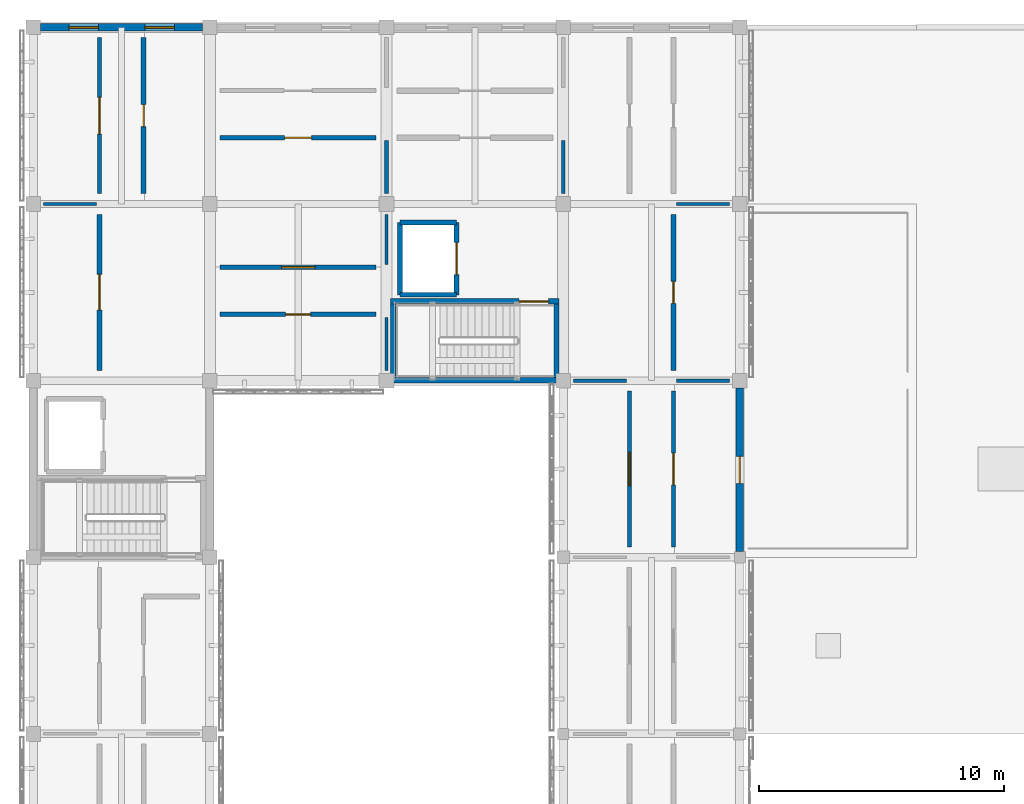
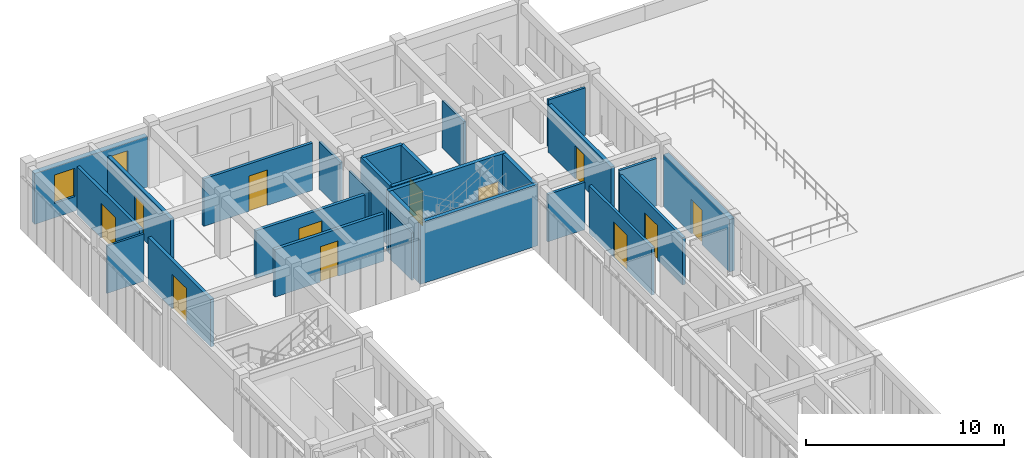
# One storey, part 55 of 67: 27 walls, 12 doors, 2 windows, 14 openings.
"""IFC4 building model written with IfcOpenShell, lengths in metres."""

from ifc_helpers import new_model, si_unit, direction, frame, frame_2d, origin, place, context, subcontext, project, spatial, rectangle, extrude, material, layer, layer_set, type_object, element, fill, save


model = new_model("IFC4")

# Units and contexts
model_context = context("Model", 3, precision=1e-05, world=origin(), true_north=direction((0.0, 1.0)))
body_context = subcontext(model_context, "Body", "Model", "MODEL_VIEW")
ifc_project = project(units=[si_unit("LENGTHUNIT", "METRE"), si_unit("AREAUNIT", "SQUARE_METRE"), si_unit("VOLUMEUNIT", "CUBIC_METRE"), si_unit("PLANEANGLEUNIT", "RADIAN"), si_unit("MASSUNIT", "GRAM", prefix="KILO")], contexts=[model_context])

# Site, building, storey
site_placement = place(None, origin())
site = spatial("IfcSite", under=ifc_project, at=site_placement, CompositionType="ELEMENT")
building_placement = place(site_placement, origin())
building = spatial("IfcBuilding", under=site, at=building_placement, Name="Aldebral Square Health Centre", CompositionType="ELEMENT")
storey_placement = place(building_placement, frame((0.0, 0.0, 13.5)))
storey = spatial("IfcBuildingStorey", under=building, at=storey_placement, Name="L03", CompositionType="ELEMENT", Elevation=13.5)

# Wall, openings, windows
ifc_material_1 = material(Name="Precast concrete C40/50 insulated panel", Category="concrete")
ifc_layer_1 = layer(ifc_material_1, 0.300048828125, Name="Precast concrete C40/50 insulated panel", Category="concrete")
ifc_layer_set_1 = layer_set([ifc_layer_1], Name="Precast concrete C40/50 insulated panel")
wall_type_1 = type_object("IfcWallType", Name="EW-PRE-300", PredefinedType="STANDARD", material=ifc_layer_set_1)
wall_1_placement = place(storey_placement, frame((6.89990234375, 115.199951171875, 0.0), z_axis=(0.0, 0.0, 1.0), x_axis=(-1.0, 0.0, 0.0)))
wall_1 = element("IfcWall", 1, at=wall_1_placement, inside=storey, type_object=wall_type_1, Name="L03 V4 exterior wall L03-V4-00-15-N", PredefinedType="STANDARD", context=body_context, shape_type="SweptSolid", body=[
    extrude(rectangle(XDim=6.599853515625, YDim=0.300048828125, at=frame_2d((3.2998046875, 0.0))), origin(), (0.0, 0.0, 1.0), 3.139892578125),
])
opening_1_placement = place(wall_1_placement, frame((1.14990234375, 0.0, 0.89990234375)))
opening_1 = element("IfcOpeningElement", 2, at=opening_1_placement, cuts=wall_1, Name="Opening W39", PredefinedType="OPENING", context=body_context, shape_type="SweptSolid", body=[
    extrude(rectangle(XDim=1.199951171875, YDim=1.75, at=frame_2d((0.60009765625, 0.875))), frame((0.0, 0.16015625, 0.0), z_axis=(0.0, -1.0, 0.0), x_axis=(1.0, 0.0, 0.0)), (0.0, 0.0, 1.0), 0.320068359375),
])
opening_2_placement = place(wall_1_placement, frame((4.25, 0.0, 0.89990234375)))
opening_2 = element("IfcOpeningElement", 3, at=opening_2_placement, cuts=wall_1, Name="Opening W39", PredefinedType="OPENING", context=body_context, shape_type="SweptSolid", body=[
    extrude(rectangle(XDim=1.199951171875, YDim=1.75, at=frame_2d((0.60009765625, 0.875))), frame((0.0, 0.16015625, 0.0), z_axis=(0.0, -1.0, 0.0), x_axis=(1.0, 0.0, 0.0)), (0.0, 0.0, 1.0), 0.320068359375),
])
ifc_material_2 = material(Name="Thermally broken aluminium and low-E glass", Category="aluminium")
window_type = type_object("IfcWindowType", Name="WIN-W39", PartitioningType="SINGLE_PANEL", PredefinedType="WINDOW", material=ifc_material_2)
window_1_placement = place(opening_1_placement, origin())
window_1 = element("IfcWindow", 4, at=window_1_placement, inside=storey, type_object=window_type, Name="L03 clinical window L03-V4-00-15-N.1", OverallHeight=1.75, OverallWidth=1.199951171875, PartitioningType="SINGLE_PANEL", PredefinedType="WINDOW", context=body_context, shape_type="SweptSolid", body=[
    extrude(rectangle(XDim=1.199951171875, YDim=1.75, at=frame_2d((0.60009765625, 0.875))), frame((0.0, 0.030029296875, 0.0), z_axis=(0.0, -1.0, 0.0), x_axis=(1.0, 0.0, 0.0)), (0.0, 0.0, 1.0), 0.06005859375),
])
fill(opening_1, window_1)
window_2_placement = place(opening_2_placement, origin())
window_2 = element("IfcWindow", 5, at=window_2_placement, inside=storey, type_object=window_type, Name="L03 clinical window L03-V4-00-15-N.2", OverallHeight=1.75, OverallWidth=1.199951171875, PartitioningType="SINGLE_PANEL", PredefinedType="WINDOW", context=body_context, shape_type="SweptSolid", body=[
    extrude(rectangle(XDim=1.199951171875, YDim=1.75, at=frame_2d((0.60009765625, 0.875))), frame((0.0, 0.030029296875, 0.0), z_axis=(0.0, -1.0, 0.0), x_axis=(1.0, 0.0, 0.0)), (0.0, 0.0, 1.0), 0.06005859375),
])
fill(opening_2, window_2)

# Wall, opening, door
wall_2_placement = place(storey_placement, frame((28.800048828125, 93.824951171875, 0.0), z_axis=(0.0, 0.0, 1.0), x_axis=(0.0, 1.0, 0.0)))
wall_2 = element("IfcWall", 6, at=wall_2_placement, inside=storey, type_object=wall_type_1, Name="L03 V4 exterior wall L03-V4-03-13-E", PredefinedType="STANDARD", context=body_context, shape_type="SweptSolid", body=[
    extrude(rectangle(XDim=6.675048828125, YDim=0.300048828125, at=frame_2d((3.33740234375, 0.0))), origin(), (0.0, 0.0, 1.0), 3.239990234375),
])
opening_3_placement = place(wall_2_placement, frame((2.78759765625, 0.0, 0.0)))
opening_3 = element("IfcOpeningElement", 7, at=opening_3_placement, cuts=wall_2, Name="Opening D-TER301", PredefinedType="OPENING", context=body_context, shape_type="SweptSolid", body=[
    extrude(rectangle(XDim=1.10009765625, YDim=2.14990234375, at=frame_2d((0.550048828125, 1.074951171875))), frame((0.0, 0.16015625, 0.0), z_axis=(0.0, -1.0, 0.0), x_axis=(1.0, 0.0, 0.0)), (0.0, 0.0, 1.0), 0.320068359375),
])
ifc_material_3 = material(Name="Anodised aluminium and laminated safety glass", Category="aluminium")
door_type_1 = type_object("IfcDoorType", Name="DR-TER-110", OperationType="NOTDEFINED", PredefinedType="DOOR", material=ifc_material_3)
door_1_placement = place(opening_3_placement, origin())
door_1 = element("IfcDoor", 8, at=door_1_placement, inside=storey, type_object=door_type_1, Name="L03 exterior door D-TER301", OperationType="SINGLE_SWING_LEFT", OverallHeight=2.14990234375, OverallWidth=1.10009765625, PredefinedType="DOOR", context=body_context, shape_type="SweptSolid", body=[
    extrude(rectangle(XDim=1.10009765625, YDim=2.14990234375, at=frame_2d((0.550048828125, 1.074951171875))), frame((0.0, 0.02490234375, 0.0), z_axis=(0.0, -1.0, 0.0), x_axis=(1.0, 0.0, 0.0)), (0.0, 0.0, 1.0), 0.050048828125),
])
fill(opening_3, door_1)

ifc_material_4 = material(Name="Concrete C35/45 compartment wall", Category="concrete")
ifc_layer_2 = layer(ifc_material_4, 0.199951171875, Name="Concrete C35/45 compartment wall", Category="concrete")
ifc_layer_set_2 = layer_set([ifc_layer_2], Name="Concrete C35/45 compartment wall")
wall_type_2 = type_object("IfcWallType", Name="IW-CMP-200", PredefinedType="SOLIDWALL", material=ifc_layer_set_2)
wall_3_placement = place(storey_placement, frame((2.699951171875, 101.219970703125, 0.0), z_axis=(0.0, 0.0, 1.0), x_axis=(0.0, 1.0, 0.0)))
wall_3 = element("IfcWall", 9, at=wall_3_placement, inside=storey, type_object=wall_type_2, Name="L03 Oral Hygiene Suite 1.15W corridor wall", PredefinedType="SOLIDWALL", context=body_context, shape_type="SweptSolid", body=[
    extrude(rectangle(XDim=6.360107421875, YDim=0.199951171875, at=frame_2d((3.18017578125, 0.0))), origin(), (0.0, 0.0, 1.0), 2.929931640625),
])
opening_4_placement = place(wall_3_placement, frame((2.449951171875, 0.0, 0.0)))
opening_4 = element("IfcOpeningElement", 10, at=opening_4_placement, cuts=wall_3, Name="Opening D-0544", PredefinedType="OPENING", context=body_context, shape_type="SweptSolid", body=[
    extrude(rectangle(XDim=1.4599609375, YDim=2.139892578125, at=frame_2d((0.72998046875, 1.06982421875))), frame((0.0, 0.10986328125, 0.0), z_axis=(0.0, -1.0, 0.0), x_axis=(1.0, 0.0, 0.0)), (0.0, 0.0, 1.0), 0.219970703125),
])
ifc_material_5 = material(Name="Clinical suite fire door")
door_type_2 = type_object("IfcDoorType", Name="ID-EXD-46", OperationType="NOTDEFINED", PredefinedType="DOOR", material=ifc_material_5)
door_2_placement = place(opening_4_placement, origin())
door_2 = element("IfcDoor", 11, at=door_2_placement, inside=storey, type_object=door_type_2, Name="L03 Oral Hygiene Suite 1.15W door", OperationType="SINGLE_SWING_LEFT", OverallHeight=2.139892578125, OverallWidth=1.4599609375, PredefinedType="DOOR", context=body_context, shape_type="SweptSolid", body=[
    extrude(rectangle(XDim=1.4599609375, YDim=2.139892578125, at=frame_2d((0.72998046875, 1.06982421875))), frame((0.0, 0.02490234375, 0.0), z_axis=(0.0, -1.0, 0.0), x_axis=(1.0, 0.0, 0.0)), (0.0, 0.0, 1.0), 0.050048828125),
])
fill(opening_4, door_2)

ifc_material_6 = material(Name="Fire-rated acoustic gypsum partition")
ifc_layer_3 = layer(ifc_material_6, 0.1650390625, Name="Fire-rated acoustic gypsum partition")
ifc_layer_set_3 = layer_set([ifc_layer_3], Name="Fire-rated acoustic gypsum partition")
wall_type_3 = type_object("IfcWallType", Name="IW-COR-165", PredefinedType="PARTITIONING", material=ifc_layer_set_3)
wall_4_placement = place(storey_placement, frame((7.6201171875, 110.699951171875, 0.0), z_axis=(0.0, 0.0, 1.0), x_axis=(1.0, 0.0, 0.0)))
wall_4 = element("IfcWall", 12, at=wall_4_placement, inside=storey, type_object=wall_type_3, Name="L03 Oral Hygiene Suite 2.16S corridor wall", PredefinedType="PARTITIONING", context=body_context, shape_type="SweptSolid", body=[
    extrude(rectangle(XDim=6.35986328125, YDim=0.1650390625, at=frame_2d((3.179931640625, 0.0))), origin(), (0.0, 0.0, 1.0), 2.929931640625),
])
opening_5_placement = place(wall_4_placement, frame((2.6298828125, 0.0, 0.0)))
opening_5 = element("IfcOpeningElement", 13, at=opening_5_placement, cuts=wall_4, Name="Opening D-0551", PredefinedType="OPENING", context=body_context, shape_type="SweptSolid", body=[
    extrude(rectangle(XDim=1.10009765625, YDim=2.18994140625, at=frame_2d((0.550048828125, 1.094970703125))), frame((0.0, 0.092529296875, 0.0), z_axis=(0.0, -1.0, 0.0), x_axis=(1.0, 0.0, 0.0)), (0.0, 0.0, 1.0), 0.18505859375),
])
door_type_3 = type_object("IfcDoorType", Name="ID-EXD-53", OperationType="NOTDEFINED", PredefinedType="DOOR", material=ifc_material_5)
door_3_placement = place(opening_5_placement, origin())
door_3 = element("IfcDoor", 14, at=door_3_placement, inside=storey, type_object=door_type_3, Name="L03 Oral Hygiene Suite 2.16S door", OperationType="SINGLE_SWING_RIGHT", OverallHeight=2.18994140625, OverallWidth=1.10009765625, PredefinedType="DOOR", context=body_context, shape_type="SweptSolid", body=[
    extrude(rectangle(XDim=1.10009765625, YDim=2.18994140625, at=frame_2d((0.550048828125, 1.094970703125))), frame((0.0, 0.02490234375, 0.0), z_axis=(0.0, -1.0, 0.0), x_axis=(1.0, 0.0, 0.0)), (0.0, 0.0, 1.0), 0.050048828125),
])
fill(opening_5, door_3)

wall_5_placement = place(storey_placement, frame((24.300048828125, 94.02001953125, 0.0), z_axis=(0.0, 0.0, 1.0), x_axis=(0.0, 1.0, 0.0)))
wall_5 = element("IfcWall", 15, at=wall_5_placement, inside=storey, type_object=wall_type_3, Name="L03 Oral Hygiene Suite 4.14W corridor wall", PredefinedType="PARTITIONING", context=body_context, shape_type="SweptSolid", body=[
    extrude(rectangle(XDim=6.35986328125, YDim=0.1650390625, at=frame_2d((3.179931640625, 0.0))), origin(), (0.0, 0.0, 1.0), 2.929931640625),
])
opening_6_placement = place(wall_5_placement, frame((2.5048828125, 0.0, 0.0)))
opening_6 = element("IfcOpeningElement", 16, at=opening_6_placement, cuts=wall_5, Name="Opening D-0565", PredefinedType="OPENING", context=body_context, shape_type="SweptSolid", body=[
    extrude(rectangle(XDim=1.35009765625, YDim=2.199951171875, at=frame_2d((0.675048828125, 1.10009765625))), frame((0.0, 0.092529296875, 0.0), z_axis=(0.0, -1.0, 0.0), x_axis=(1.0, 0.0, 0.0)), (0.0, 0.0, 1.0), 0.18505859375),
])
ifc_material_7 = material(Name="Lead-lined imaging suite door")
door_type_4 = type_object("IfcDoorType", Name="ID-IM-135", OperationType="NOTDEFINED", PredefinedType="DOOR", material=ifc_material_7)
door_4_placement = place(opening_6_placement, origin())
door_4 = element("IfcDoor", 17, at=door_4_placement, inside=storey, type_object=door_type_4, Name="L03 Oral Hygiene Suite 4.14W door", OperationType="SINGLE_SWING_RIGHT", OverallHeight=2.199951171875, OverallWidth=1.35009765625, PredefinedType="DOOR", context=body_context, shape_type="SweptSolid", body=[
    extrude(rectangle(XDim=1.35009765625, YDim=2.199951171875, at=frame_2d((0.675048828125, 1.10009765625))), frame((0.0, 0.02490234375, 0.0), z_axis=(0.0, -1.0, 0.0), x_axis=(1.0, 0.0, 0.0)), (0.0, 0.0, 1.0), 0.050048828125),
])
fill(opening_6, door_4)

wall_6_placement = place(storey_placement, frame((26.10009765625, 94.02001953125, 0.0), z_axis=(0.0, 0.0, 1.0), x_axis=(0.0, 1.0, 0.0)))
wall_6 = element("IfcWall", 18, at=wall_6_placement, inside=storey, type_object=wall_type_3, Name="L03 Paediatric Examination Room 4.14E corridor wall", PredefinedType="PARTITIONING", context=body_context, shape_type="SweptSolid", body=[
    extrude(rectangle(XDim=6.35986328125, YDim=0.1650390625, at=frame_2d((3.179931640625, 0.0))), origin(), (0.0, 0.0, 1.0), 2.929931640625),
])
opening_7_placement = place(wall_6_placement, frame((2.530029296875, 0.0, 0.0)))
opening_7 = element("IfcOpeningElement", 19, at=opening_7_placement, cuts=wall_6, Name="Opening D-0566", PredefinedType="OPENING", context=body_context, shape_type="SweptSolid", body=[
    extrude(rectangle(XDim=1.300048828125, YDim=2.14990234375, at=frame_2d((0.64990234375, 1.074951171875))), frame((0.0, 0.092529296875, 0.0), z_axis=(0.0, -1.0, 0.0), x_axis=(1.0, 0.0, 0.0)), (0.0, 0.0, 1.0), 0.18505859375),
])
ifc_material_8 = material(Name="Radiography shielded fire door")
door_type_5 = type_object("IfcDoorType", Name="ID-IM-130", OperationType="NOTDEFINED", PredefinedType="DOOR", material=ifc_material_8)
door_5_placement = place(opening_7_placement, origin())
door_5 = element("IfcDoor", 20, at=door_5_placement, inside=storey, type_object=door_type_5, Name="L03 Paediatric Examination Room 4.14E door", OperationType="SINGLE_SWING_LEFT", OverallHeight=2.14990234375, OverallWidth=1.300048828125, PredefinedType="DOOR", context=body_context, shape_type="SweptSolid", body=[
    extrude(rectangle(XDim=1.300048828125, YDim=2.14990234375, at=frame_2d((0.64990234375, 1.074951171875))), frame((0.0, 0.02490234375, 0.0), z_axis=(0.0, -1.0, 0.0), x_axis=(1.0, 0.0, 0.0)), (0.0, 0.0, 1.0), 0.050048828125),
])
fill(opening_7, door_5)

ifc_layer_4 = layer(ifc_material_6, 0.179931640625, Name="Fire-rated acoustic gypsum partition")
ifc_layer_set_4 = layer_set([ifc_layer_4], Name="Fire-rated acoustic gypsum partition")
wall_type_4 = type_object("IfcWallType", Name="IW-COR-180", PredefinedType="PARTITIONING", material=ifc_layer_set_4)
wall_7_placement = place(storey_placement, frame((2.699951171875, 108.419921875, 0.0), z_axis=(0.0, 0.0, 1.0), x_axis=(0.0, 1.0, 0.0)))
wall_7 = element("IfcWall", 21, at=wall_7_placement, inside=storey, type_object=wall_type_4, Name="L03 Paediatric Examination Room 1.16W corridor wall", PredefinedType="PARTITIONING", context=body_context, shape_type="SweptSolid", body=[
    extrude(rectangle(XDim=6.360107421875, YDim=0.179931640625, at=frame_2d((3.18017578125, 0.0))), origin(), (0.0, 0.0, 1.0), 2.929931640625),
])
opening_8_placement = place(wall_7_placement, frame((2.429931640625, 0.0, 0.0)))
opening_8 = element("IfcOpeningElement", 22, at=opening_8_placement, cuts=wall_7, Name="Opening D-0545", PredefinedType="OPENING", context=body_context, shape_type="SweptSolid", body=[
    extrude(rectangle(XDim=1.5, YDim=2.139892578125, at=frame_2d((0.75, 1.06982421875))), frame((0.0, 0.10009765625, 0.0), z_axis=(0.0, -1.0, 0.0), x_axis=(1.0, 0.0, 0.0)), (0.0, 0.0, 1.0), 0.199951171875),
])
door_type_6 = type_object("IfcDoorType", Name="ID-EXD-47", OperationType="NOTDEFINED", PredefinedType="DOOR", material=ifc_material_5)
door_6_placement = place(opening_8_placement, origin())
door_6 = element("IfcDoor", 23, at=door_6_placement, inside=storey, type_object=door_type_6, Name="L03 Paediatric Examination Room 1.16W door", OperationType="SINGLE_SWING_RIGHT", OverallHeight=2.139892578125, OverallWidth=1.5, PredefinedType="DOOR", context=body_context, shape_type="SweptSolid", body=[
    extrude(rectangle(XDim=1.5, YDim=2.139892578125, at=frame_2d((0.75, 1.06982421875))), frame((0.0, 0.02490234375, 0.0), z_axis=(0.0, -1.0, 0.0), x_axis=(1.0, 0.0, 0.0)), (0.0, 0.0, 1.0), 0.050048828125),
])
fill(opening_8, door_6)

wall_8_placement = place(storey_placement, frame((7.6201171875, 103.5, 0.0), z_axis=(0.0, 0.0, 1.0), x_axis=(1.0, 0.0, 0.0)))
wall_8 = element("IfcWall", 24, at=wall_8_placement, inside=storey, type_object=wall_type_4, Name="L03 Dental Sterilization Room 2.15S corridor wall", PredefinedType="PARTITIONING", context=body_context, shape_type="SweptSolid", body=[
    extrude(rectangle(XDim=6.35986328125, YDim=0.179931640625, at=frame_2d((3.179931640625, 0.0))), origin(), (0.0, 0.0, 1.0), 2.929931640625),
])
opening_9_placement = place(wall_8_placement, frame((2.669921875, 0.0, 0.0)))
opening_9 = element("IfcOpeningElement", 25, at=opening_9_placement, cuts=wall_8, Name="Opening D-0549", PredefinedType="OPENING", context=body_context, shape_type="SweptSolid", body=[
    extrude(rectangle(XDim=1.02001953125, YDim=2.18994140625, at=frame_2d((0.510009765625, 1.094970703125))), frame((0.0, 0.10009765625, 0.0), z_axis=(0.0, -1.0, 0.0), x_axis=(1.0, 0.0, 0.0)), (0.0, 0.0, 1.0), 0.199951171875),
])
door_type_7 = type_object("IfcDoorType", Name="ID-EXD-51", OperationType="NOTDEFINED", PredefinedType="DOOR", material=ifc_material_5)
door_7_placement = place(opening_9_placement, origin())
door_7 = element("IfcDoor", 26, at=door_7_placement, inside=storey, type_object=door_type_7, Name="L03 Dental Sterilization Room 2.15S door", OperationType="SINGLE_SWING_RIGHT", OverallHeight=2.18994140625, OverallWidth=1.02001953125, PredefinedType="DOOR", context=body_context, shape_type="SweptSolid", body=[
    extrude(rectangle(XDim=1.02001953125, YDim=2.18994140625, at=frame_2d((0.510009765625, 1.094970703125))), frame((0.0, 0.02490234375, 0.0), z_axis=(0.0, -1.0, 0.0), x_axis=(1.0, 0.0, 0.0)), (0.0, 0.0, 1.0), 0.050048828125),
])
fill(opening_9, door_7)

wall_9_placement = place(storey_placement, frame((7.6201171875, 105.419921875, 0.0), z_axis=(0.0, 0.0, 1.0), x_axis=(1.0, 0.0, 0.0)))
wall_9 = element("IfcWall", 27, at=wall_9_placement, inside=storey, type_object=wall_type_4, Name="L03 Panoramic Dental X-Ray 2.15N corridor wall", PredefinedType="PARTITIONING", context=body_context, shape_type="SweptSolid", body=[
    extrude(rectangle(XDim=6.35986328125, YDim=0.179931640625, at=frame_2d((3.179931640625, 0.0))), origin(), (0.0, 0.0, 1.0), 2.929931640625),
])
opening_10_placement = place(wall_9_placement, frame((2.5048828125, 0.0, 0.0)))
opening_10 = element("IfcOpeningElement", 28, at=opening_10_placement, cuts=wall_9, Name="Opening D-0550", PredefinedType="OPENING", context=body_context, shape_type="SweptSolid", body=[
    extrude(rectangle(XDim=1.35009765625, YDim=2.199951171875, at=frame_2d((0.675048828125, 1.10009765625))), frame((0.0, 0.10009765625, 0.0), z_axis=(0.0, -1.0, 0.0), x_axis=(1.0, 0.0, 0.0)), (0.0, 0.0, 1.0), 0.199951171875),
])
door_8_placement = place(opening_10_placement, origin())
door_8 = element("IfcDoor", 29, at=door_8_placement, inside=storey, type_object=door_type_4, Name="L03 Panoramic Dental X-Ray 2.15N door", OperationType="SINGLE_SWING_LEFT", OverallHeight=2.199951171875, OverallWidth=1.35009765625, PredefinedType="DOOR", context=body_context, shape_type="SweptSolid", body=[
    extrude(rectangle(XDim=1.35009765625, YDim=2.199951171875, at=frame_2d((0.675048828125, 1.10009765625))), frame((0.0, 0.02490234375, 0.0), z_axis=(0.0, -1.0, 0.0), x_axis=(1.0, 0.0, 0.0)), (0.0, 0.0, 1.0), 0.050048828125),
])
fill(opening_10, door_8)

# Wall
ifc_material_9 = material(Name="Concrete C40/50", Category="concrete")
ifc_layer_5 = layer(ifc_material_9, 0.219970703125, Name="Concrete C40/50", Category="concrete")
ifc_layer_set_5 = layer_set([ifc_layer_5], Name="Concrete C40/50")
wall_type_5 = type_object("IfcWallType", Name="IW-CORE-280", PredefinedType="SHEAR", material=ifc_layer_set_5)
wall_10_placement = place(storey_placement, frame((14.56005859375, 100.81005859375, 0.0), z_axis=(0.0, 0.0, 1.0), x_axis=(1.0, 0.0, 0.0)))
element("IfcWall", 30, at=wall_10_placement, inside=storey, type_object=wall_type_5, Name="L03 WC-C2 shaft wall S", PredefinedType="SHEAR", context=body_context, shape_type="SweptSolid", body=[
    extrude(rectangle(XDim=6.8798828125, YDim=0.219970703125, at=frame_2d((3.43994140625, 0.0))), origin(), (0.0, 0.0, 1.0), 3.7900390625),
])

# Wall, opening, door
wall_11_placement = place(storey_placement, frame((14.56005859375, 104.030029296875, 0.0), z_axis=(0.0, 0.0, 1.0), x_axis=(1.0, 0.0, 0.0)))
wall_11 = element("IfcWall", 31, at=wall_11_placement, inside=storey, type_object=wall_type_5, Name="L03 WC-C2 shaft wall N", PredefinedType="SHEAR", context=body_context, shape_type="SweptSolid", body=[
    extrude(rectangle(XDim=6.8798828125, YDim=0.219970703125, at=frame_2d((3.43994140625, 0.0))), origin(), (0.0, 0.0, 1.0), 3.7900390625),
])
opening_11_placement = place(wall_11_placement, frame((5.25, 0.0, 0.0)))
opening_11 = element("IfcOpeningElement", 32, at=opening_11_placement, cuts=wall_11, Name="Opening D-0025", PredefinedType="OPENING", context=body_context, shape_type="SweptSolid", body=[
    extrude(rectangle(XDim=1.199951171875, YDim=2.14990234375, at=frame_2d((0.60009765625, 1.074951171875))), frame((0.0, 0.1201171875, 0.0), z_axis=(0.0, -1.0, 0.0), x_axis=(1.0, 0.0, 0.0)), (0.0, 0.0, 1.0), 0.239990234375),
])
ifc_material_10 = material(Name="Fire-rated steel stair door", Category="steel")
door_type_8 = type_object("IfcDoorType", Name="ID-ST-120", OperationType="NOTDEFINED", PredefinedType="DOOR", material=ifc_material_10)
door_9_placement = place(opening_11_placement, origin())
door_9 = element("IfcDoor", 33, at=door_9_placement, inside=storey, type_object=door_type_8, Name="L03 ST-02 fire door", OperationType="SINGLE_SWING_LEFT", OverallHeight=2.14990234375, OverallWidth=1.199951171875, PredefinedType="DOOR", context=body_context, shape_type="SweptSolid", body=[
    extrude(rectangle(XDim=1.199951171875, YDim=2.14990234375, at=frame_2d((0.60009765625, 1.074951171875))), frame((0.0, 0.02490234375, 0.0), z_axis=(0.0, -1.0, 0.0), x_axis=(1.0, 0.0, 0.0)), (0.0, 0.0, 1.0), 0.050048828125),
])
fill(opening_11, door_9)

# Walls
for number, where, z_axis, x_axis, name in (
    (34, (14.669921875, 100.919921875, 0.0), (0.0, 0.0, 1.0), (0.0, 1.0, 0.0), "L03 WC-C2 shaft wall W"),
    (35, (21.330078125, 100.919921875, 0.0), (0.0, 0.0, 1.0), (0.0, 1.0, 0.0), "L03 WC-C2 shaft wall E"),
):
    element("IfcWall", number, at=place(storey_placement, frame(where, z_axis=z_axis, x_axis=x_axis)), inside=storey, type_object=wall_type_5, Name=name, PredefinedType="SHEAR", context=body_context, shape_type="SweptSolid", body=[
        extrude(rectangle(XDim=3.0, YDim=0.219970703125, at=frame_2d((1.5, 0.0))), origin(), (0.0, 0.0, 1.0), 3.7900390625),
    ])
ifc_layer_6 = layer(ifc_material_9, 0.199951171875, Name="Concrete C40/50", Category="concrete")
ifc_layer_set_6 = layer_set([ifc_layer_6], Name="Concrete C40/50")
wall_type_6 = type_object("IfcWallType", Name="IW-LFT-250", PredefinedType="SHEAR", material=ifc_layer_set_6)
wall_12_placement = place(storey_placement, frame((14.949951171875, 104.300048828125, 0.0), z_axis=(0.0, 0.0, 1.0), x_axis=(1.0, 0.0, 0.0)))
element("IfcWall", 36, at=wall_12_placement, inside=storey, type_object=wall_type_6, Name="L03 LF-02 shaft wall S", PredefinedType="SHEAR", context=body_context, shape_type="SweptSolid", body=[
    extrude(rectangle(XDim=2.300048828125, YDim=0.199951171875, at=frame_2d((1.14990234375, 0.0))), origin(), (0.0, 0.0, 1.0), 3.7900390625),
])
wall_13_placement = place(storey_placement, frame((14.949951171875, 104.300048828125, 0.0), z_axis=(0.0, 0.0, 1.0), x_axis=(0.0, 1.0, 0.0)))
element("IfcWall", 37, at=wall_13_placement, inside=storey, type_object=wall_type_6, Name="L03 LF-02 shaft wall W", PredefinedType="SHEAR", context=body_context, shape_type="SweptSolid", body=[
    extrude(rectangle(XDim=2.949951171875, YDim=0.199951171875, at=frame_2d((1.47509765625, 0.0))), origin(), (0.0, 0.0, 1.0), 3.7900390625),
])
wall_14_placement = place(storey_placement, frame((14.949951171875, 107.25, 0.0), z_axis=(0.0, 0.0, 1.0), x_axis=(1.0, 0.0, 0.0)))
element("IfcWall", 38, at=wall_14_placement, inside=storey, type_object=wall_type_6, Name="L03 LF-02 shaft wall N", PredefinedType="SHEAR", context=body_context, shape_type="SweptSolid", body=[
    extrude(rectangle(XDim=2.300048828125, YDim=0.199951171875, at=frame_2d((1.14990234375, 0.0))), origin(), (0.0, 0.0, 1.0), 3.7900390625),
])

# Wall, opening, door
wall_15_placement = place(storey_placement, frame((17.25, 104.300048828125, 0.0), z_axis=(0.0, 0.0, 1.0), x_axis=(0.0, 1.0, 0.0)))
wall_15 = element("IfcWall", 39, at=wall_15_placement, inside=storey, type_object=wall_type_6, Name="L03 LF-02 landing wall", PredefinedType="SHEAR", context=body_context, shape_type="SweptSolid", body=[
    extrude(rectangle(XDim=2.949951171875, YDim=0.199951171875, at=frame_2d((1.47509765625, 0.0))), origin(), (0.0, 0.0, 1.0), 3.7900390625),
])
opening_12_placement = place(wall_15_placement, frame((0.824951171875, 0.0, 0.0)))
opening_12 = element("IfcOpeningElement", 40, at=opening_12_placement, cuts=wall_15, Name="Opening D-0026", PredefinedType="OPENING", context=body_context, shape_type="SweptSolid", body=[
    extrude(rectangle(XDim=1.300048828125, YDim=2.14990234375, at=frame_2d((0.64990234375, 1.074951171875))), frame((0.0, 0.10986328125, 0.0), z_axis=(0.0, -1.0, 0.0), x_axis=(1.0, 0.0, 0.0)), (0.0, 0.0, 1.0), 0.219970703125),
])
ifc_material_11 = material(Name="Stainless steel stretcher lift landing door", Category="steel")
door_type_9 = type_object("IfcDoorType", Name="ID-LD-130", OperationType="SLIDING_TO_LEFT", PredefinedType="DOOR", material=ifc_material_11)
door_10_placement = place(opening_12_placement, origin())
door_10 = element("IfcDoor", 41, at=door_10_placement, inside=storey, type_object=door_type_9, Name="L03 LF-02 sliding landing door", OperationType="SLIDING_TO_LEFT", OverallHeight=2.14990234375, OverallWidth=1.300048828125, PredefinedType="DOOR", context=body_context, shape_type="SweptSolid", body=[
    extrude(rectangle(XDim=1.300048828125, YDim=2.14990234375, at=frame_2d((0.64990234375, 1.074951171875))), frame((0.0, 0.02490234375, 0.0), z_axis=(0.0, -1.0, 0.0), x_axis=(1.0, 0.0, 0.0)), (0.0, 0.0, 1.0), 0.050048828125),
])
fill(opening_12, door_10)

ifc_material_12 = material(Name="Moisture-resistant sanitary chase wall")
ifc_layer_7 = layer(ifc_material_12, 0.2099609375, Name="Moisture-resistant sanitary chase wall")
ifc_layer_set_7 = layer_set([ifc_layer_7], Name="Moisture-resistant sanitary chase wall")
wall_type_7 = type_object("IfcWallType", Name="IW-PLB-210", PredefinedType="PLUMBINGWALL", material=ifc_layer_set_7)
wall_16_placement = place(storey_placement, frame((4.5, 108.419921875, 0.0), z_axis=(0.0, 0.0, 1.0), x_axis=(0.0, 1.0, 0.0)))
wall_16 = element("IfcWall", 42, at=wall_16_placement, inside=storey, type_object=wall_type_7, Name="L03 Accessible WC 1.16E corridor wall", PredefinedType="PLUMBINGWALL", context=body_context, shape_type="SweptSolid", body=[
    extrude(rectangle(XDim=6.360107421875, YDim=0.2099609375, at=frame_2d((3.18017578125, 0.0))), origin(), (0.0, 0.0, 1.0), 2.929931640625),
])
opening_13_placement = place(wall_16_placement, frame((2.72998046875, 0.0, 0.0)))
opening_13 = element("IfcOpeningElement", 43, at=opening_13_placement, cuts=wall_16, Name="Opening D-0546", PredefinedType="OPENING", context=body_context, shape_type="SweptSolid", body=[
    extrude(rectangle(XDim=0.89990234375, YDim=2.18994140625, at=frame_2d((0.449951171875, 1.094970703125))), frame((0.0, 0.114990234375, 0.0), z_axis=(0.0, -1.0, 0.0), x_axis=(1.0, 0.0, 0.0)), (0.0, 0.0, 1.0), 0.22998046875),
])
door_type_10 = type_object("IfcDoorType", Name="ID-EXD-48", OperationType="NOTDEFINED", PredefinedType="DOOR", material=ifc_material_5)
door_11_placement = place(opening_13_placement, origin())
door_11 = element("IfcDoor", 44, at=door_11_placement, inside=storey, type_object=door_type_10, Name="L03 Accessible WC 1.16E door", OperationType="SINGLE_SWING_LEFT", OverallHeight=2.18994140625, OverallWidth=0.89990234375, PredefinedType="DOOR", context=body_context, shape_type="SweptSolid", body=[
    extrude(rectangle(XDim=0.89990234375, YDim=2.18994140625, at=frame_2d((0.449951171875, 1.094970703125))), frame((0.0, 0.02490234375, 0.0), z_axis=(0.0, -1.0, 0.0), x_axis=(1.0, 0.0, 0.0)), (0.0, 0.0, 1.0), 0.050048828125),
])
fill(opening_13, door_11)

wall_17_placement = place(storey_placement, frame((26.10009765625, 101.219970703125, 0.0), z_axis=(0.0, 0.0, 1.0), x_axis=(0.0, 1.0, 0.0)))
wall_17 = element("IfcWall", 45, at=wall_17_placement, inside=storey, type_object=wall_type_7, Name="L03 Accessible WC 4.15E corridor wall", PredefinedType="PLUMBINGWALL", context=body_context, shape_type="SweptSolid", body=[
    extrude(rectangle(XDim=6.360107421875, YDim=0.2099609375, at=frame_2d((3.18017578125, 0.0))), origin(), (0.0, 0.0, 1.0), 2.929931640625),
])
opening_14_placement = place(wall_17_placement, frame((2.72998046875, 0.0, 0.0)))
opening_14 = element("IfcOpeningElement", 46, at=opening_14_placement, cuts=wall_17, Name="Opening D-0567", PredefinedType="OPENING", context=body_context, shape_type="SweptSolid", body=[
    extrude(rectangle(XDim=0.89990234375, YDim=2.0400390625, at=frame_2d((0.449951171875, 1.02001953125))), frame((0.0, 0.114990234375, 0.0), z_axis=(0.0, -1.0, 0.0), x_axis=(1.0, 0.0, 0.0)), (0.0, 0.0, 1.0), 0.22998046875),
])
door_type_11 = type_object("IfcDoorType", Name="ID-EXD-00", OperationType="NOTDEFINED", PredefinedType="DOOR", material=ifc_material_5)
door_12_placement = place(opening_14_placement, origin())
door_12 = element("IfcDoor", 47, at=door_12_placement, inside=storey, type_object=door_type_11, Name="L03 Accessible WC 4.15E door", OperationType="SINGLE_SWING_RIGHT", OverallHeight=2.0400390625, OverallWidth=0.89990234375, PredefinedType="DOOR", context=body_context, shape_type="SweptSolid", body=[
    extrude(rectangle(XDim=0.89990234375, YDim=2.0400390625, at=frame_2d((0.449951171875, 1.02001953125))), frame((0.0, 0.02490234375, 0.0), z_axis=(0.0, -1.0, 0.0), x_axis=(1.0, 0.0, 0.0)), (0.0, 0.0, 1.0), 0.050048828125),
])
fill(opening_14, door_12)

# Walls
ifc_material_13 = material(Name="Lightweight clinical partition")
ifc_layer_8 = layer(ifc_material_13, 0.10498046875, Name="Lightweight clinical partition")
ifc_layer_set_8 = layer_set([ifc_layer_8], Name="Lightweight clinical partition")
wall_type_8 = type_object("IfcWallType", Name="IW-PRT-105", PredefinedType="PARTITIONING", material=ifc_layer_set_8)
wall_18_placement = place(storey_placement, frame((14.39990234375, 101.219970703125, 0.0), z_axis=(0.0, 0.0, 1.0), x_axis=(0.0, 1.0, 0.0)))
element("IfcWall", 48, at=wall_18_placement, inside=storey, type_object=wall_type_8, Name="L03 Dental Sterilization Room 2.15S demising partition", PredefinedType="PARTITIONING", context=body_context, shape_type="SweptSolid", body=[
    extrude(rectangle(XDim=2.159912109375, YDim=0.10498046875, at=frame_2d((1.080078125, 0.0))), origin(), (0.0, 0.0, 1.0), 2.929931640625),
])
wall_19_placement = place(storey_placement, frame((14.39990234375, 105.5400390625, 0.0), z_axis=(0.0, 0.0, 1.0), x_axis=(0.0, 1.0, 0.0)))
element("IfcWall", 49, at=wall_19_placement, inside=storey, type_object=wall_type_8, Name="L03 Panoramic Dental X-Ray 2.15N demising partition", PredefinedType="PARTITIONING", context=body_context, shape_type="SweptSolid", body=[
    extrude(rectangle(XDim=2.0400390625, YDim=0.10498046875, at=frame_2d((1.02001953125, 0.0))), origin(), (0.0, 0.0, 1.0), 2.929931640625),
])
ifc_material_14 = material(Name="Acoustic clinical gypsum partition")
ifc_layer_9 = layer(ifc_material_14, 0.1201171875, Name="Acoustic clinical gypsum partition")
ifc_layer_set_9 = layer_set([ifc_layer_9], Name="Acoustic clinical gypsum partition")
wall_type_9 = type_object("IfcWallType", Name="IW-PRT-120", PredefinedType="PARTITIONING", material=ifc_layer_set_9)
wall_20_placement = place(storey_placement, frame((0.419921875, 108.0, 0.0), z_axis=(0.0, 0.0, 1.0), x_axis=(1.0, 0.0, 0.0)))
element("IfcWall", 50, at=wall_20_placement, inside=storey, type_object=wall_type_9, Name="L03 Oral Hygiene Suite 1.15W demising partition", PredefinedType="PARTITIONING", context=body_context, shape_type="SweptSolid", body=[
    extrude(rectangle(XDim=2.16015625, YDim=0.1201171875, at=frame_2d((1.080078125, 0.0))), origin(), (0.0, 0.0, 1.0), 2.929931640625),
])
ifc_layer_10 = layer(ifc_material_14, 0.135009765625, Name="Acoustic clinical gypsum partition")
ifc_layer_set_10 = layer_set([ifc_layer_10], Name="Acoustic clinical gypsum partition")
wall_type_10 = type_object("IfcWallType", Name="IW-PRT-135", PredefinedType="PARTITIONING", material=ifc_layer_set_10)
wall_21_placement = place(storey_placement, frame((21.60009765625, 108.419921875, 0.0), z_axis=(0.0, 0.0, 1.0), x_axis=(0.0, 1.0, 0.0)))
element("IfcWall", 51, at=wall_21_placement, inside=storey, type_object=wall_type_10, Name="L03 Dental Clinic Operatory 3.16S demising partition", PredefinedType="PARTITIONING", context=body_context, shape_type="SweptSolid", body=[
    extrude(rectangle(XDim=2.16015625, YDim=0.135009765625, at=frame_2d((1.080078125, 0.0))), origin(), (0.0, 0.0, 1.0), 2.929931640625),
])
wall_22_placement = place(storey_placement, frame((26.219970703125, 108.0, 0.0), z_axis=(0.0, 0.0, 1.0), x_axis=(1.0, 0.0, 0.0)))
element("IfcWall", 52, at=wall_22_placement, inside=storey, type_object=wall_type_10, Name="L03 Accessible WC 4.15E demising partition", PredefinedType="PARTITIONING", context=body_context, shape_type="SweptSolid", body=[
    extrude(rectangle(XDim=2.159912109375, YDim=0.135009765625, at=frame_2d((1.080078125, 0.0))), origin(), (0.0, 0.0, 1.0), 2.929931640625),
])
ifc_layer_11 = layer(ifc_material_14, 0.14990234375, Name="Acoustic clinical gypsum partition")
ifc_layer_set_11 = layer_set([ifc_layer_11], Name="Acoustic clinical gypsum partition")
wall_type_11 = type_object("IfcWallType", Name="IW-PRT-150", PredefinedType="PARTITIONING", material=ifc_layer_set_11)
wall_23_placement = place(storey_placement, frame((14.39990234375, 108.419921875, 0.0), z_axis=(0.0, 0.0, 1.0), x_axis=(0.0, 1.0, 0.0)))
element("IfcWall", 53, at=wall_23_placement, inside=storey, type_object=wall_type_11, Name="L03 Oral Hygiene Suite 2.16S demising partition", PredefinedType="PARTITIONING", context=body_context, shape_type="SweptSolid", body=[
    extrude(rectangle(XDim=2.16015625, YDim=0.14990234375, at=frame_2d((1.080078125, 0.0))), origin(), (0.0, 0.0, 1.0), 2.929931640625),
])
for number, where, z_axis, x_axis, name in (
    (54, (22.02001953125, 100.800048828125, 0.0), (0.0, 0.0, 1.0), (1.0, 0.0, 0.0), "L03 Oral Hygiene Suite 4.14W demising partition"),
    (55, (26.219970703125, 100.800048828125, 0.0), (0.0, 0.0, 1.0), (1.0, 0.0, 0.0), "L03 Paediatric Examination Room 4.14E demising partition"),
):
    element("IfcWall", number, at=place(storey_placement, frame(where, z_axis=z_axis, x_axis=x_axis)), inside=storey, type_object=wall_type_11, Name=name, PredefinedType="PARTITIONING", context=body_context, shape_type="SweptSolid", body=[
        extrude(rectangle(XDim=2.159912109375, YDim=0.14990234375, at=frame_2d((1.080078125, 0.0))), origin(), (0.0, 0.0, 1.0), 2.929931640625),
    ])

save(model, "model.ifc")
